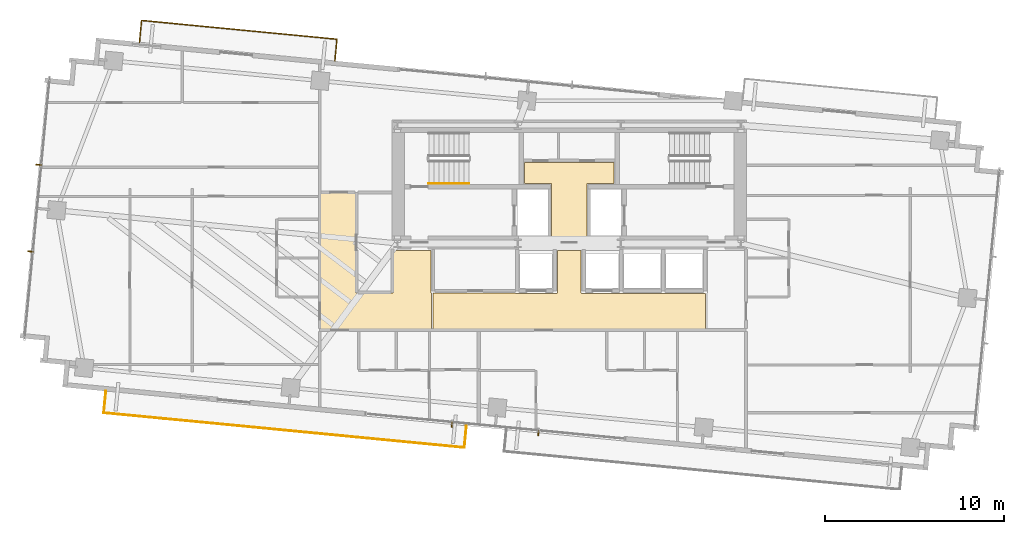
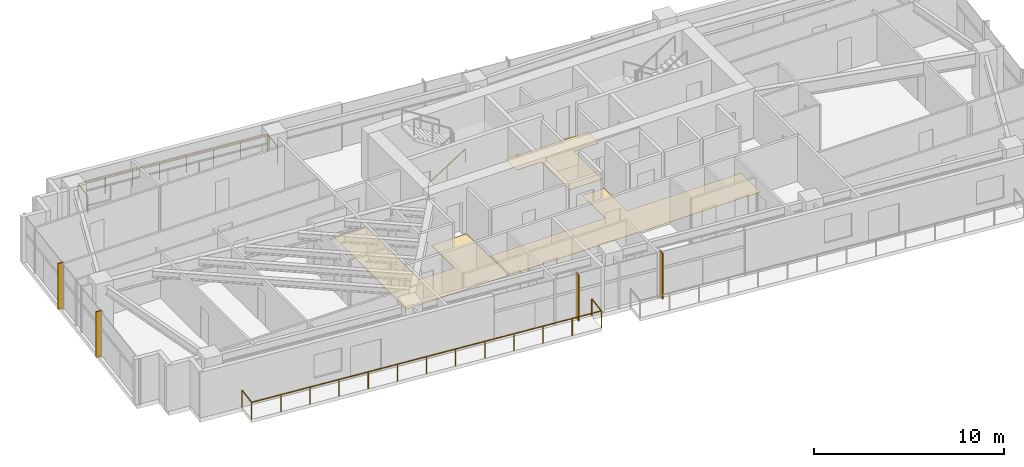
# One storey, part 19 of 20: 4 shading devices, 3 coverings, 3 railings.
"""IFC4 building model written with IfcOpenShell, lengths in metres."""

from ifc_helpers import new_model, si_unit, direction, frame, origin, origin_2d, place, context, subcontext, project, spatial, polyline, rectangle, outline, extrude, source, transform, mapped, material, layer, layer_set, type_object, type_shapes, element, save


model = new_model("IFC4")

# Units and contexts
model_context = context("Model", 3, precision=1e-05, world=origin(), true_north=direction((0.0, 1.0)))
body_context = subcontext(model_context, "Body", "Model", "MODEL_VIEW")
ifc_project = project(units=[si_unit("LENGTHUNIT", "METRE"), si_unit("AREAUNIT", "SQUARE_METRE"), si_unit("VOLUMEUNIT", "CUBIC_METRE"), si_unit("PLANEANGLEUNIT", "RADIAN"), si_unit("MASSUNIT", "GRAM", prefix="KILO")], contexts=[model_context])

# Site, building, storey
site_placement = place(None, origin())
site = spatial("IfcSite", under=ifc_project, at=site_placement, CompositionType="ELEMENT")
building_placement = place(site_placement, origin())
building = spatial("IfcBuilding", under=site, at=building_placement, Name="Astriad Promenade Condominiums", CompositionType="ELEMENT")
storey_placement = place(building_placement, frame((0.0, 0.0, 127.800048828125)))
storey = spatial("IfcBuildingStorey", under=building, at=storey_placement, Name="L36", CompositionType="ELEMENT", Elevation=127.800048828125)

# Coverings
ifc_material_1 = material(Name="Polished Lakefront Terrazzo Flooring")
ifc_layer = layer(ifc_material_1, 0.02001953125)
ifc_layer_set = layer_set([ifc_layer], Name="Polished Lakefront Terrazzo Flooring")
covering_type = type_object("IfcCoveringType", Name="COV-FLOR-TERRAZZO-20", PredefinedType="FLOORING", material=ifc_layer_set)
covering_1_placement = place(storey_placement, origin())
element("IfcCovering", 1, at=covering_1_placement, inside=storey, type_object=covering_type, Name="FLR-L36-CSL", PredefinedType="FLOORING", context=body_context, shape_type="SweptSolid", body=[
    extrude(outline(polyline([(36.97998046875, 20.699951171875), (36.97998046875, 17.7900390625), (35.02001953125, 17.7900390625), (35.02001953125, 20.699951171875), (35.019775390625, 20.703857421875), (35.019287109375, 20.707763671875), (35.018310546875, 20.711669921875), (35.01708984375, 20.71533203125), (35.015380859375, 20.718994140625), (35.01318359375, 20.72216796875), (35.010986328125, 20.725341796875), (35.00830078125, 20.728271484375), (35.00537109375, 20.73095703125), (35.002197265625, 20.7333984375), (34.998779296875, 20.7353515625), (34.995361328125, 20.737060546875), (34.99169921875, 20.73828125), (34.98779296875, 20.7392578125), (34.98388671875, 20.73974609375), (34.97998046875, 20.739990234375), (33.5, 20.739990234375), (33.5, 21.909912109375), (38.5, 21.909912109375), (38.5, 20.739990234375), (37.02001953125, 20.739990234375), (37.01611328125, 20.73974609375), (37.01220703125, 20.7392578125), (37.00830078125, 20.73828125), (37.004638671875, 20.737060546875), (37.001220703125, 20.7353515625), (36.997802734375, 20.7333984375), (36.99462890625, 20.73095703125), (36.99169921875, 20.728271484375), (36.989013671875, 20.725341796875), (36.98681640625, 20.72216796875), (36.984619140625, 20.718994140625), (36.98291015625, 20.71533203125), (36.981689453125, 20.711669921875), (36.980712890625, 20.707763671875), (36.980224609375, 20.703857421875), (36.97998046875, 20.699951171875)])), origin(), (0.0, 0.0, 1.0), 0.02001953125),
])
covering_2_placement = place(storey_placement, origin())
element("IfcCovering", 2, at=covering_2_placement, inside=storey, type_object=covering_type, Name="FLR-L36-LLB", PredefinedType="FLOORING", context=body_context, shape_type="SweptSolid", body=[
    extrude(outline(polyline([(32.9736328125, 14.6201171875), (32.974609375, 14.619140625), (32.977783203125, 14.61669921875), (32.981201171875, 14.61474609375), (32.984619140625, 14.613037109375), (32.98828125, 14.61181640625), (32.9921875, 14.61083984375), (32.99609375, 14.610107421875), (33.0, 14.610107421875), (35.300048828125, 14.610107421875), (35.303955078125, 14.610107421875), (35.307861328125, 14.61083984375), (35.3115234375, 14.61181640625), (35.315185546875, 14.613037109375), (35.31884765625, 14.61474609375), (35.322265625, 14.61669921875), (35.325439453125, 14.619140625), (35.328369140625, 14.62158203125), (35.330810546875, 14.62451171875), (35.333251953125, 14.627685546875), (35.335205078125, 14.631103515625), (35.3369140625, 14.634765625), (35.33837890625, 14.638427734375), (35.339111328125, 14.64208984375), (35.33984375, 14.64599609375), (35.340087890625, 14.64990234375), (35.340087890625, 17.010009765625), (36.659912109375, 17.010009765625), (36.659912109375, 14.64990234375), (36.66015625, 14.64599609375), (36.660888671875, 14.64208984375), (36.66162109375, 14.638427734375), (36.6630859375, 14.634765625), (36.664794921875, 14.631103515625), (36.666748046875, 14.627685546875), (36.669189453125, 14.62451171875), (36.671630859375, 14.62158203125), (36.674560546875, 14.619140625), (36.677734375, 14.61669921875), (36.68115234375, 14.61474609375), (36.684814453125, 14.613037109375), (36.6884765625, 14.61181640625), (36.692138671875, 14.61083984375), (36.696044921875, 14.610107421875), (36.699951171875, 14.610107421875), (43.610107421875, 14.610107421875), (43.610107421875, 12.590087890625), (28.389892578125, 12.590087890625), (28.389892578125, 14.6201171875), (32.9736328125, 14.6201171875)])), origin(), (0.0, 0.0, 1.0), 0.02001953125),
])
covering_3_placement = place(storey_placement, origin())
element("IfcCovering", 3, at=covering_3_placement, inside=storey, type_object=covering_type, Name="FLR-L36-COR-2", PredefinedType="FLOORING", context=body_context, shape_type="SweptSolid", body=[
    extrude(outline(polyline([(28.300048828125, 12.590087890625), (22.090087890625, 12.590087890625), (22.090087890625, 20.2099609375), (24.06005859375, 20.2099609375), (24.06005859375, 14.659912109375), (24.060302734375, 14.656005859375), (24.060791015625, 14.652099609375), (24.061767578125, 14.6484375), (24.06298828125, 14.644775390625), (24.064697265625, 14.64111328125), (24.066650390625, 14.6376953125), (24.069091796875, 14.634521484375), (24.07177734375, 14.631591796875), (24.07470703125, 14.629150390625), (24.077880859375, 14.626708984375), (24.0810546875, 14.624755859375), (24.084716796875, 14.623046875), (24.08837890625, 14.62158203125), (24.09228515625, 14.620849609375), (24.09619140625, 14.6201171875), (24.10009765625, 14.6201171875), (26.1201171875, 14.6201171875), (26.123779296875, 14.6201171875), (26.127685546875, 14.620849609375), (26.131591796875, 14.62158203125), (26.13525390625, 14.623046875), (26.138916015625, 14.624755859375), (26.14208984375, 14.626708984375), (26.1455078125, 14.629150390625), (26.148193359375, 14.631591796875), (26.15087890625, 14.634521484375), (26.1533203125, 14.6376953125), (26.1552734375, 14.64111328125), (26.156982421875, 14.644775390625), (26.158203125, 14.6484375), (26.1591796875, 14.652099609375), (26.159912109375, 14.656005859375), (26.159912109375, 14.659912109375), (26.159912109375, 17.010009765625), (28.280029296875, 17.010009765625), (28.280029296875, 14.659912109375), (28.2802734375, 14.656005859375), (28.28076171875, 14.652099609375), (28.28173828125, 14.6484375), (28.282958984375, 14.644775390625), (28.28466796875, 14.64111328125), (28.28662109375, 14.6376953125), (28.2890625, 14.634521484375), (28.291748046875, 14.631591796875), (28.294677734375, 14.629150390625), (28.2978515625, 14.626708984375), (28.300048828125, 14.62548828125), (28.300048828125, 12.590087890625)])), origin(), (0.0, 0.0, 1.0), 0.02001953125),
])

# Shading devices
ifc_material_2 = material(Name="Anodised aluminium 6063-T6 Black Fin", Category="aluminium")
shading_device_type = type_object("IfcShadingDeviceType", Name="FIN-BLACK-260", PredefinedType="USERDEFINED", material=ifc_material_2)
shared_shape_1 = source(origin(), body_context, "Body", "SweptSolid", [
    extrude(rectangle(XDim=0.06494140625, YDim=0.320068359375, at=origin_2d()), origin(), (0.0, 0.0, 1.0), 2.93994140625),
])
type_shapes(shading_device_type, [shared_shape_1])
for number, where, z_axis, x_axis, name in (
    (4, (5.880126953125, 16.947509765625, 0.0), (0.0, 0.0, 1.0), (0.09584575252, 0.995396198367, 0.0), "CW-L36-W-FIN-01"),
    (5, (6.3466796875, 21.791748046875, 0.0), (0.0, 0.0, 1.0), (0.09584575252, 0.995396198367, 0.0), "CW-L36-W-FIN-02"),
    (6, (34.278564453125, 6.80224609375, 0.0), (0.0, 0.0, 1.0), (-0.995396198367, 0.09584575252, 0.0), "CW-L36-S-FIN-01"),
    (7, (29.44091796875, 7.26806640625, 0.0), (0.0, 0.0, 1.0), (-0.995396198367, 0.09584575252, 0.0), "CW-L36-S-FIN-02"),
):
    element("IfcShadingDevice", number, at=place(storey_placement, frame(where, z_axis=z_axis, x_axis=x_axis)), inside=storey, type_object=shading_device_type, Name=name, ObjectType="FIN", PredefinedType="USERDEFINED", context=body_context, shape_type="MappedRepresentation", body=[
        mapped(shared_shape_1, transform((0.0, 0.0, 0.0), scale=1.0)),
    ])

# Railings
ifc_material_3 = material(Name="Laminated Glass and Stainless Steel Balustrade", Category="steel")
railing_type_1 = type_object("IfcRailingType", Name="GRD-BALC-1120", PredefinedType="BALUSTRADE", material=ifc_material_3)
shared_shape_2 = source(origin(), body_context, "Body", "SweptSolid", [
    extrude(rectangle(XDim=0.048095703125, YDim=0.048095703125, at=origin_2d()), frame((0.0, 0.0, 1.09619140625), z_axis=(-0.095857307208, -0.99539508571, 0.0), x_axis=(0.99539508571, -0.095857307208, 0.0)), (0.0, 0.0, 1.0), 1.219970703125),
    extrude(rectangle(XDim=0.048095703125, YDim=0.048095703125, at=origin_2d()), frame((-0.116943359375, -1.21435546875, 1.09619140625), z_axis=(0.99539625138, -0.095845201955, 0.0), x_axis=(0.095845201955, 0.99539625138, 0.0)), (0.0, 0.0, 1.0), 20.248046875),
    extrude(rectangle(XDim=0.048095703125, YDim=0.048095703125, at=origin_2d()), frame((20.037841796875, -3.155029296875, 1.09619140625), z_axis=(0.095857307208, 0.99539508571, 0.0), x_axis=(-0.99539508571, 0.095857307208, 0.0)), (0.0, 0.0, 1.0), 1.219970703125),
    extrude(rectangle(XDim=0.0419921875, YDim=0.0419921875, at=origin_2d()), origin(), (0.0, 0.0, 1.0), 1.072021484375),
    extrude(rectangle(XDim=0.0419921875, YDim=0.0419921875, at=origin_2d()), frame((-0.116943359375, -1.21435546875, 0.0)), (0.0, 0.0, 1.0), 1.072021484375),
    extrude(rectangle(XDim=0.0419921875, YDim=0.0419921875, at=origin_2d()), frame((1.5625, -1.3759765625, 0.0)), (0.0, 0.0, 1.0), 1.072021484375),
    extrude(rectangle(XDim=0.0419921875, YDim=0.0419921875, at=origin_2d()), frame((3.2421875, -1.537841796875, 0.0)), (0.0, 0.0, 1.0), 1.072021484375),
    extrude(rectangle(XDim=0.0419921875, YDim=0.0419921875, at=origin_2d()), frame((4.921875, -1.699462890625, 0.0)), (0.0, 0.0, 1.0), 1.072021484375),
    extrude(rectangle(XDim=0.0419921875, YDim=0.0419921875, at=origin_2d()), frame((6.601318359375, -1.861328125, 0.0)), (0.0, 0.0, 1.0), 1.072021484375),
    extrude(rectangle(XDim=0.0419921875, YDim=0.0419921875, at=origin_2d()), frame((8.28076171875, -2.02294921875, 0.0)), (0.0, 0.0, 1.0), 1.072021484375),
    extrude(rectangle(XDim=0.0419921875, YDim=0.0419921875, at=origin_2d()), frame((9.96044921875, -2.1845703125, 0.0)), (0.0, 0.0, 1.0), 1.072021484375),
    extrude(rectangle(XDim=0.0419921875, YDim=0.0419921875, at=origin_2d()), frame((11.64013671875, -2.346435546875, 0.0)), (0.0, 0.0, 1.0), 1.072021484375),
    extrude(rectangle(XDim=0.0419921875, YDim=0.0419921875, at=origin_2d()), frame((13.319580078125, -2.508056640625, 0.0)), (0.0, 0.0, 1.0), 1.072021484375),
    extrude(rectangle(XDim=0.0419921875, YDim=0.0419921875, at=origin_2d()), frame((14.9990234375, -2.669921875, 0.0)), (0.0, 0.0, 1.0), 1.072021484375),
    extrude(rectangle(XDim=0.0419921875, YDim=0.0419921875, at=origin_2d()), frame((16.6787109375, -2.83154296875, 0.0)), (0.0, 0.0, 1.0), 1.072021484375),
    extrude(rectangle(XDim=0.0419921875, YDim=0.0419921875, at=origin_2d()), frame((18.3583984375, -2.993408203125, 0.0)), (0.0, 0.0, 1.0), 1.072021484375),
    extrude(rectangle(XDim=0.0419921875, YDim=0.0419921875, at=origin_2d()), frame((20.037841796875, -3.155029296875, 0.0)), (0.0, 0.0, 1.0), 1.072021484375),
    extrude(rectangle(XDim=0.0419921875, YDim=0.0419921875, at=origin_2d()), frame((20.15478515625, -1.940673828125, 0.0)), (0.0, 0.0, 1.0), 1.072021484375),
])
railing_1_placement = place(storey_placement, frame((10.095458984375, 9.140869140625, 0.0)))
element("IfcRailing", 8, at=railing_1_placement, inside=storey, type_object=railing_type_1, Name="GRD-BALC-L36-SW", PredefinedType="BALUSTRADE", context=body_context, shape_type="MappedRepresentation", body=[
    mapped(shared_shape_2, transform((0.0, 0.0, 0.0), scale=1.0)),
])
shared_shape_3 = source(origin(), body_context, "Body", "SweptSolid", [
    extrude(rectangle(XDim=0.048095703125, YDim=0.048095703125, at=origin_2d()), frame((0.0, 0.0, 1.09619140625), z_axis=(0.095857307208, 0.99539508571, 0.0), x_axis=(-0.99539508571, 0.095857307208, 0.0)), (0.0, 0.0, 1.0), 1.219970703125),
    extrude(rectangle(XDim=0.048095703125, YDim=0.048095703125, at=origin_2d()), frame((0.116943359375, 1.21435546875, 1.09619140625), z_axis=(-0.995396264567, 0.095845065005, 0.0), x_axis=(-0.095845065005, -0.995396264567, 0.0)), (0.0, 0.0, 1.0), 10.97607421875),
    extrude(rectangle(XDim=0.048095703125, YDim=0.048095703125, at=origin_2d()), frame((-10.80859375, 2.266357421875, 1.09619140625), z_axis=(-0.095659020692, -0.99541416092, 0.0), x_axis=(0.99541416092, -0.095659020692, 0.0)), (0.0, 0.0, 1.0), 1.219970703125),
    extrude(rectangle(XDim=0.0419921875, YDim=0.0419921875, at=origin_2d()), origin(), (0.0, 0.0, 1.0), 1.072021484375),
    extrude(rectangle(XDim=0.0419921875, YDim=0.0419921875, at=origin_2d()), frame((0.116943359375, 1.21435546875, 0.0)), (0.0, 0.0, 1.0), 1.072021484375),
    extrude(rectangle(XDim=0.0419921875, YDim=0.0419921875, at=origin_2d()), frame((-1.44384765625, 1.36474609375, 0.0)), (0.0, 0.0, 1.0), 1.072021484375),
    extrude(rectangle(XDim=0.0419921875, YDim=0.0419921875, at=origin_2d()), frame((-3.004638671875, 1.514892578125, 0.0)), (0.0, 0.0, 1.0), 1.072021484375),
    extrude(rectangle(XDim=0.0419921875, YDim=0.0419921875, at=origin_2d()), frame((-4.5654296875, 1.665283203125, 0.0)), (0.0, 0.0, 1.0), 1.072021484375),
    extrude(rectangle(XDim=0.0419921875, YDim=0.0419921875, at=origin_2d()), frame((-6.126220703125, 1.8154296875, 0.0)), (0.0, 0.0, 1.0), 1.072021484375),
    extrude(rectangle(XDim=0.0419921875, YDim=0.0419921875, at=origin_2d()), frame((-7.68701171875, 1.9658203125, 0.0)), (0.0, 0.0, 1.0), 1.072021484375),
    extrude(rectangle(XDim=0.0419921875, YDim=0.0419921875, at=origin_2d()), frame((-9.247802734375, 2.115966796875, 0.0)), (0.0, 0.0, 1.0), 1.072021484375),
    extrude(rectangle(XDim=0.0419921875, YDim=0.0419921875, at=origin_2d()), frame((-10.80859375, 2.266357421875, 0.0)), (0.0, 0.0, 1.0), 1.072021484375),
    extrude(rectangle(XDim=0.0419921875, YDim=0.0419921875, at=origin_2d()), frame((-10.92529296875, 1.052001953125, 0.0)), (0.0, 0.0, 1.0), 1.072021484375),
])
type_shapes(railing_type_1, [shared_shape_2, shared_shape_3])
railing_2_placement = place(storey_placement, frame((22.8994140625, 27.5986328125, 0.0)))
element("IfcRailing", 9, at=railing_2_placement, inside=storey, type_object=railing_type_1, Name="GRD-BALC-L36-NW", PredefinedType="BALUSTRADE", context=body_context, shape_type="MappedRepresentation", body=[
    mapped(shared_shape_3, transform((0.0, 0.0, 0.0), scale=1.0)),
])
ifc_material_4 = material(Name="Brushed Stainless Steel Handrail", Category="steel")
railing_type_2 = type_object("IfcRailingType", Name="HRL-STAIR-920", PredefinedType="HANDRAIL", material=ifc_material_4)
shared_shape_4 = source(origin(), body_context, "Body", "SweptSolid", [
    extrude(rectangle(XDim=0.048095703125, YDim=0.048095703125, at=origin_2d()), frame((0.0, 0.0, 0.8759765625), z_axis=(0.8442293374, 0.0, 0.53598211339), x_axis=(0.0, 1.0, 0.0)), (0.0, 0.0, 1.0), 2.6533203125),
    extrude(rectangle(XDim=0.0419921875, YDim=0.0419921875, at=origin_2d()), origin(), (0.0, 0.0, 1.0), 0.851806640625),
    extrude(rectangle(XDim=0.0419921875, YDim=0.0419921875, at=origin_2d()), frame((1.1201171875, 0.0, 0.7109375)), (0.0, 0.0, 1.0), 0.851806640625),
    extrude(rectangle(XDim=0.0419921875, YDim=0.0419921875, at=origin_2d()), frame((2.239990234375, 0.0, 1.422119140625)), (0.0, 0.0, 1.0), 0.851806640625),
])
type_shapes(railing_type_2, [shared_shape_4])
railing_3_placement = place(storey_placement, frame((28.14990234375, 20.75, 0.177734375)))
element("IfcRailing", 10, at=railing_3_placement, inside=storey, type_object=railing_type_2, Name="L36 ST-1 stair handrail 1", PredefinedType="HANDRAIL", context=body_context, shape_type="MappedRepresentation", body=[
    mapped(shared_shape_4, transform((0.0, 0.0, 0.0), scale=1.0)),
])

save(model, "model.ifc")
